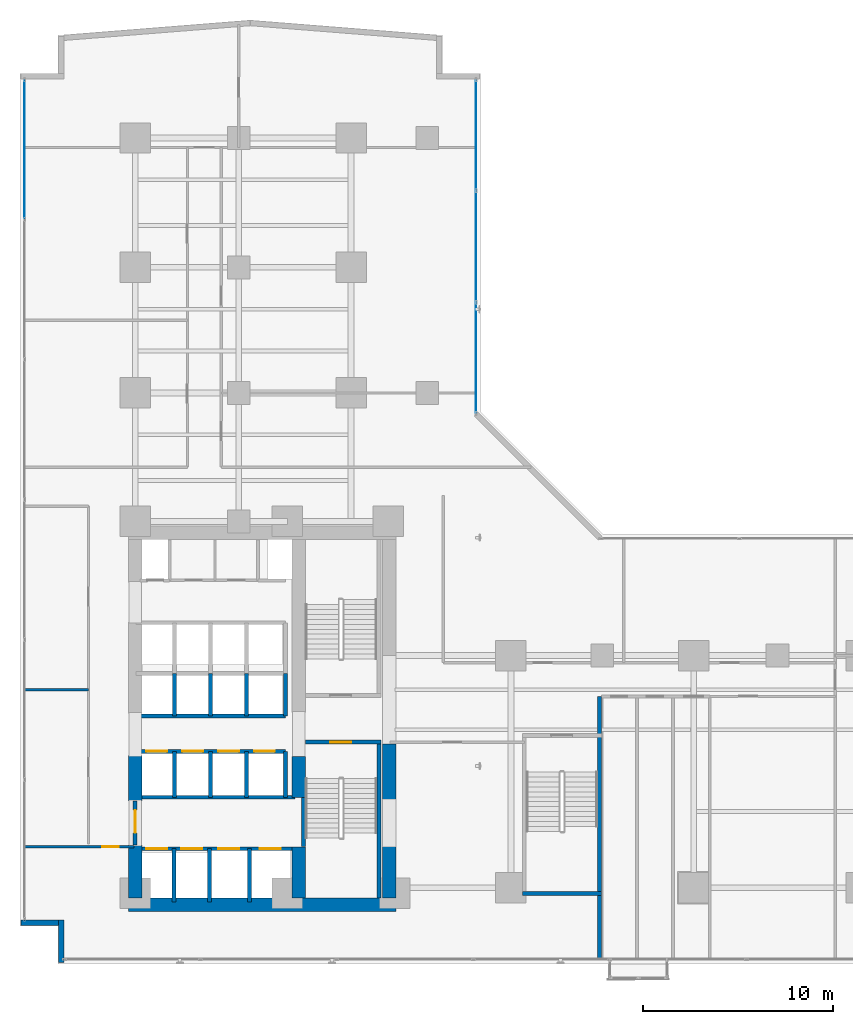
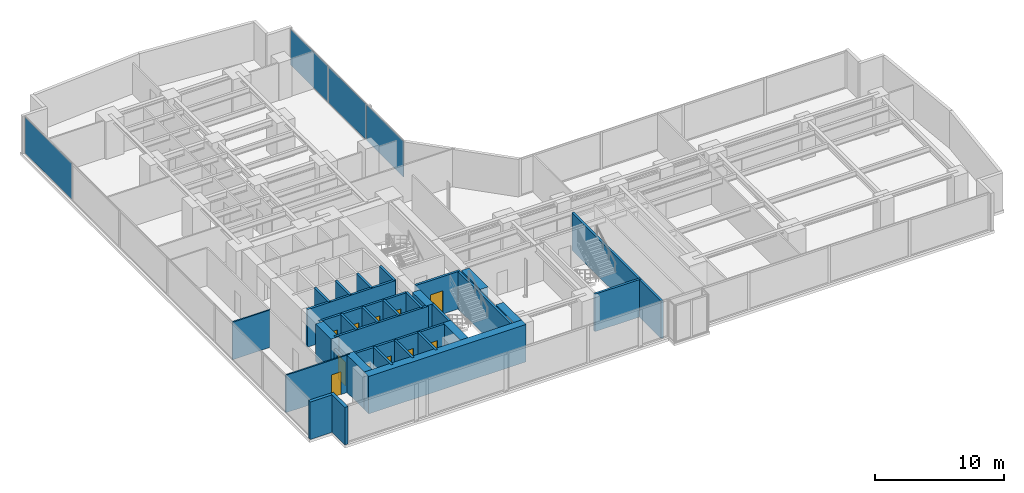
# One storey, part 23 of 29: 32 walls, 11 doors, 4 plates, 11 openings, 2 elements without a shape of their own.
"""IFC4 building model written with IfcOpenShell, lengths in metres."""

from ifc_helpers import new_model, si_unit, direction, frame, frame_2d, origin, origin_with_axes, origin_2d, place, context, subcontext, project, spatial, rectangle, extrude, source, transform, mapped, material, layer, layer_set, type_object, element, fill, aggregate, save


model = new_model("IFC4")

# Units and contexts
model_context = context("Model", 3, precision=1e-05, world=origin(), true_north=direction((0.0, 1.0)))
body_context = subcontext(model_context, "Body", "Model", "MODEL_VIEW")
ifc_project = project(units=[si_unit("LENGTHUNIT", "METRE"), si_unit("AREAUNIT", "SQUARE_METRE"), si_unit("VOLUMEUNIT", "CUBIC_METRE"), si_unit("PLANEANGLEUNIT", "RADIAN"), si_unit("MASSUNIT", "GRAM", prefix="KILO")], contexts=[model_context])

# Site, building, storey
site_placement = place(None, origin())
site = spatial("IfcSite", under=ifc_project, at=site_placement, CompositionType="ELEMENT")
building_placement = place(site_placement, origin())
building = spatial("IfcBuilding", under=site, at=building_placement, Name="Kolvaren Waterfront Exchange", CompositionType="ELEMENT")
storey_placement = place(building_placement, frame((0.0, 0.0, 37.199951171875)))
storey = spatial("IfcBuildingStorey", under=building, at=storey_placement, Name="L09", CompositionType="ELEMENT", Elevation=37.199951171875)

# Curtain wall, plate
ifc_material_1 = material(Name="Anodised aluminium 6063-T6", Category="aluminium")
ifc_layer_1 = layer(ifc_material_1, 0.219970703125, Name="Anodised aluminium 6063-T6")
ifc_layer_set_1 = layer_set([ifc_layer_1], Name="Anodised aluminium 6063-T6")
curtain_wall_type_1 = type_object("IfcCurtainWallType", Name="ARC-CW-SYS2", PredefinedType="USERDEFINED", material=ifc_layer_set_1)
curtain_wall_1_placement = place(storey_placement, origin())
curtain_wall_1 = element("IfcCurtainWall", 1, at=curtain_wall_1_placement, inside=storey, type_object=curtain_wall_type_1, Name="L09 stick curtain wall CW2 (CW-L09-W)", ObjectType="STICK CURTAIN WALL", PredefinedType="USERDEFINED")
ifc_material_2 = material(Name="Acoustic laminated vision glass", Category="glass")
ifc_layer_2 = layer(ifc_material_2, 0.031982421875, Name="Acoustic laminated vision glass")
ifc_layer_set_2 = layer_set([ifc_layer_2], Name="Acoustic laminated vision glass")
plate_type_1 = type_object("IfcPlateType", Name="ARC-CWP-32", PredefinedType="CURTAIN_PANEL", material=ifc_layer_set_2)
shared_shape_1 = source(origin_with_axes(), body_context, "Body", "SweptSolid", [
    extrude(rectangle(XDim=7.24658203125, YDim=0.031982421875, at=origin_2d()), origin(), (0.0, 0.0, 1.0), 3.389892578125),
])
plate_1_placement = place(storey_placement, frame((1.639892578125, 43.99658203125, 0.0751953125), z_axis=(0.0, 0.0, 1.0), x_axis=(0.0, 1.0, 0.0)))
plate_1 = element("IfcPlate", 2, at=plate_1_placement, type_object=plate_type_1, Name="CW2 panel 6.1", PredefinedType="CURTAIN_PANEL", context=body_context, shape_type="MappedRepresentation", body=[
    mapped(shared_shape_1, transform((0.0, 0.0, 0.0), x_axis=(1.0, 0.0, 0.0), y_axis=(0.0, 1.0, 0.0), z_axis=(0.0, 0.0, 1.0), scale=1.0)),
])
aggregate(curtain_wall_1, [plate_1])

# Curtain wall, plates
ifc_material_3 = material(Name="Anodised bronze aluminium 6063-T6", Category="aluminium")
ifc_layer_3 = layer(ifc_material_3, 0.219970703125, Name="Anodised bronze aluminium 6063-T6")
ifc_layer_set_3 = layer_set([ifc_layer_3], Name="Anodised bronze aluminium 6063-T6")
curtain_wall_type_2 = type_object("IfcCurtainWallType", Name="ARC-CW-SYS1", PredefinedType="USERDEFINED", material=ifc_layer_set_3)
curtain_wall_2_placement = place(storey_placement, origin())
curtain_wall_2 = element("IfcCurtainWall", 3, at=curtain_wall_2_placement, inside=storey, type_object=curtain_wall_type_2, Name="L09 stick curtain wall CW1 (CW-L09-NE)", ObjectType="STICK CURTAIN WALL", PredefinedType="USERDEFINED")
ifc_material_4 = material(Name="Bronze solar control vision glass", Category="aluminium")
ifc_layer_4 = layer(ifc_material_4, 0.028076171875, Name="Bronze solar control vision glass")
ifc_layer_set_4 = layer_set([ifc_layer_4], Name="Bronze solar control vision glass")
plate_type_2 = type_object("IfcPlateType", Name="ARC-CWP-28", PredefinedType="CURTAIN_PANEL", material=ifc_layer_set_4)
shared_shape_2 = source(origin_with_axes(), body_context, "Body", "SweptSolid", [
    extrude(rectangle(XDim=5.75, YDim=0.028076171875, at=origin_2d()), origin(), (0.0, 0.0, 1.0), 3.389892578125),
])
plate_2_placement = place(storey_placement, frame((25.360107421875, 33.044921875, 0.0751953125), z_axis=(0.0, 0.0, 1.0), x_axis=(0.0, 1.0, 0.0)))
plate_2 = element("IfcPlate", 4, at=plate_2_placement, type_object=plate_type_2, Name="CW1 panel 1.1", PredefinedType="CURTAIN_PANEL", context=body_context, shape_type="MappedRepresentation", body=[
    mapped(shared_shape_2, transform((0.0, 0.0, 0.0), x_axis=(1.0, 0.0, 0.0), y_axis=(0.0, 1.0, 0.0), z_axis=(0.0, 0.0, 1.0), scale=1.0)),
])
plate_3_placement = place(storey_placement, frame((25.360107421875, 44.7451171875, 0.0751953125), z_axis=(0.0, 0.0, 1.0), x_axis=(0.0, 1.0, 0.0)))
plate_3 = element("IfcPlate", 5, at=plate_3_placement, type_object=plate_type_2, Name="CW1 panel 3.1", PredefinedType="CURTAIN_PANEL", context=body_context, shape_type="MappedRepresentation", body=[
    mapped(shared_shape_2, transform((0.0, 0.0, 0.0), x_axis=(1.0, 0.0, 0.0), y_axis=(0.0, 1.0, 0.0), z_axis=(0.0, 0.0, 1.0), scale=1.0)),
])
shared_shape_3 = source(origin_with_axes(), body_context, "Body", "SweptSolid", [
    extrude(rectangle(XDim=5.7900390625, YDim=0.028076171875, at=origin_2d()), origin(), (0.0, 0.0, 1.0), 3.389892578125),
])
plate_4_placement = place(storey_placement, frame((25.360107421875, 38.89501953125, 0.0751953125), z_axis=(0.0, 0.0, 1.0), x_axis=(0.0, 1.0, 0.0)))
plate_4 = element("IfcPlate", 6, at=plate_4_placement, type_object=plate_type_2, Name="CW1 panel 2.1", PredefinedType="CURTAIN_PANEL", context=body_context, shape_type="MappedRepresentation", body=[
    mapped(shared_shape_3, transform((0.0, 0.0, 0.0), x_axis=(1.0, 0.0, 0.0), y_axis=(0.0, 1.0, 0.0), z_axis=(0.0, 0.0, 1.0), scale=1.0)),
])
aggregate(curtain_wall_2, [plate_2, plate_4, plate_3])

# Walls
ifc_material_5 = material(Name="Precast concrete C40/50", Category="concrete")
ifc_layer_5 = layer(ifc_material_5, 0.280029296875, Name="Precast concrete C40/50")
ifc_layer_set_5 = layer_set([ifc_layer_5], Name="Precast concrete C40/50")
wall_type_1 = type_object("IfcWallType", Name="ARC-EXT-TERR-280", PredefinedType="SOLIDWALL", material=ifc_layer_set_5)
wall_1_placement = place(storey_placement, frame((3.56005859375, 1.260009765625, 0.0), z_axis=(0.0, 0.0, 1.0), x_axis=(0.0, 1.0, 0.0)))
element("IfcWall", 7, at=wall_1_placement, inside=storey, type_object=wall_type_1, Name="L09 notched corner spandrel pier SW-A", PredefinedType="SOLIDWALL", context=body_context, shape_type="SweptSolid", body=[
    extrude(rectangle(XDim=2.239990234375, YDim=0.280029296875, at=frame_2d((1.1201171875, 0.0))), origin(), (0.0, 0.0, 1.0), 3.5400390625),
])
wall_2_placement = place(storey_placement, frame((1.4599609375, 3.360107421875, 0.0), z_axis=(0.0, 0.0, 1.0), x_axis=(1.0, 0.0, 0.0)))
element("IfcWall", 8, at=wall_2_placement, inside=storey, type_object=wall_type_1, Name="L09 notched corner spandrel pier SW-B", PredefinedType="SOLIDWALL", context=body_context, shape_type="SweptSolid", body=[
    extrude(rectangle(XDim=1.9599609375, YDim=0.280029296875, at=frame_2d((0.97998046875, 0.0))), origin(), (0.0, 0.0, 1.0), 3.5400390625),
])

# Wall, opening, door
ifc_layer_6 = layer(ifc_material_5, 0.199951171875, Name="Precast concrete C40/50")
ifc_layer_set_6 = layer_set([ifc_layer_6], Name="Precast concrete C40/50")
wall_type_2 = type_object("IfcWallType", Name="ARC-FIRE-200", PredefinedType="PARTITIONING", material=ifc_layer_set_6)
wall_3_placement = place(storey_placement, frame((16.39990234375, 12.85009765625, 0.0), z_axis=(0.0, 0.0, 1.0), x_axis=(1.0, 0.0, 0.0)))
wall_3 = element("IfcWall", 9, at=wall_3_placement, inside=storey, type_object=wall_type_2, Name="L09 interior wall PW-L09-ST1-THROAT-S", PredefinedType="PARTITIONING", context=body_context, shape_type="SweptSolid", body=[
    extrude(rectangle(XDim=3.960205078125, YDim=0.199951171875, at=frame_2d((1.97998046875, 0.0))), origin(), (0.0, 0.0, 1.0), 3.5400390625),
])
opening_1_placement = place(wall_3_placement, frame((1.3037109375, 0.0, 0.0)))
opening_1 = element("IfcOpeningElement", 10, at=opening_1_placement, cuts=wall_3, Name="Opening FD2", PredefinedType="OPENING", context=body_context, shape_type="SweptSolid", body=[
    extrude(rectangle(XDim=1.10009765625, YDim=2.199951171875, at=frame_2d((0.550048828125, 1.10009765625))), frame((0.0, 0.10986328125, 0.0), z_axis=(0.0, -1.0, 0.0), x_axis=(1.0, 0.0, 0.0)), (0.0, 0.0, 1.0), 0.219970703125),
])
ifc_material_6 = material(Name="Pressed steel smoke-seal fire door", Category="steel")
door_type_1 = type_object("IfcDoorType", Name="ARC-FD-1100", OperationType="NOTDEFINED", PredefinedType="DOOR", material=ifc_material_6)
door_1_placement = place(opening_1_placement, frame((1.10009765625, 0.0, 0.0), z_axis=(0.0, 0.0, 1.0), x_axis=(-1.0, 0.0, 0.0)))
door_1 = element("IfcDoor", 11, at=door_1_placement, inside=storey, type_object=door_type_1, Name="L09 door DR-L09-ST1-IN (FD2)", OperationType="SINGLE_SWING_RIGHT", OverallHeight=2.199951171875, OverallWidth=1.10009765625, PredefinedType="DOOR", context=body_context, shape_type="SweptSolid", body=[
    extrude(rectangle(XDim=1.10009765625, YDim=2.199951171875, at=frame_2d((0.550048828125, 1.10009765625))), frame((0.0, 0.02490234375, 0.0), z_axis=(0.0, -1.0, 0.0), x_axis=(1.0, 0.0, 0.0)), (0.0, 0.0, 1.0), 0.050048828125),
])
fill(opening_1, door_1)

# Wall
wall_4_placement = place(storey_placement, frame((7.5, 9.949951171875, 0.0), z_axis=(0.0, 0.0, 1.0), x_axis=(1.0, 0.0, 0.0)))
element("IfcWall", 12, at=wall_4_placement, inside=storey, type_object=wall_type_2, Name="L09 interior wall PW-L09-FF-N", PredefinedType="PARTITIONING", context=body_context, shape_type="SweptSolid", body=[
    extrude(rectangle(XDim=8.35009765625, YDim=0.199951171875, at=frame_2d((4.175048828125, 0.0))), origin(), (0.0, 0.0, 1.0), 3.5400390625),
])

# Wall, opening, door
wall_5_placement = place(storey_placement, frame((7.449951171875, 7.449951171875, 0.0), z_axis=(0.0, 0.0, 1.0), x_axis=(0.0, 1.0, 0.0)))
wall_5 = element("IfcWall", 13, at=wall_5_placement, inside=storey, type_object=wall_type_2, Name="L09 interior wall PW-L09-FF-W-DOOR", PredefinedType="PARTITIONING", context=body_context, shape_type="SweptSolid", body=[
    extrude(rectangle(XDim=2.300048828125, YDim=0.199951171875, at=frame_2d((1.14990234375, 0.0))), origin(), (0.0, 0.0, 1.0), 2.52001953125),
])
opening_2_placement = place(wall_5_placement, frame((0.63330078125, 0.0, 0.0)))
opening_2 = element("IfcOpeningElement", 14, at=opening_2_placement, cuts=wall_5, Name="Opening FD3", PredefinedType="OPENING", context=body_context, shape_type="SweptSolid", body=[
    extrude(rectangle(XDim=1.199951171875, YDim=2.25, at=frame_2d((0.60009765625, 1.125))), frame((0.0, 0.10986328125, 0.0), z_axis=(0.0, -1.0, 0.0), x_axis=(1.0, 0.0, 0.0)), (0.0, 0.0, 1.0), 0.219970703125),
])
ifc_material_7 = material(Name="Pressed steel fire door", Category="steel")
door_type_2 = type_object("IfcDoorType", Name="ARC-FD-1200", OperationType="NOTDEFINED", PredefinedType="DOOR", material=ifc_material_7)
door_2_placement = place(opening_2_placement, frame((1.199951171875, 0.0, 0.0), z_axis=(0.0, 0.0, 1.0), x_axis=(-1.0, 0.0, 0.0)))
door_2 = element("IfcDoor", 15, at=door_2_placement, inside=storey, type_object=door_type_2, Name="L09 door DR-L09-FF-OUT (FD3)", OperationType="SINGLE_SWING_LEFT", OverallHeight=2.25, OverallWidth=1.199951171875, PredefinedType="DOOR", context=body_context, shape_type="SweptSolid", body=[
    extrude(rectangle(XDim=1.199951171875, YDim=2.25, at=frame_2d((0.60009765625, 1.125))), frame((0.0, 0.02490234375, 0.0), z_axis=(0.0, -1.0, 0.0), x_axis=(1.0, 0.0, 0.0)), (0.0, 0.0, 1.0), 0.050048828125),
])
fill(opening_2, door_2)

ifc_material_8 = material(Name="Acoustic gypsum steel stud", Category="steel")
ifc_layer_7 = layer(ifc_material_8, 0.125, Name="Acoustic gypsum steel stud")
ifc_layer_set_7 = layer_set([ifc_layer_7], Name="Acoustic gypsum steel stud")
wall_type_3 = type_object("IfcWallType", Name="ARC-PART-125", PredefinedType="PARTITIONING", material=ifc_layer_set_7)
wall_6_placement = place(storey_placement, frame((1.639892578125, 7.35009765625, 0.0), z_axis=(0.0, 0.0, 1.0), x_axis=(1.0, 0.0, 0.0)))
wall_6 = element("IfcWall", 16, at=wall_6_placement, inside=storey, type_object=wall_type_3, Name="L09 interior wall PW-L09-SWC-N", PredefinedType="PARTITIONING", context=body_context, shape_type="SweptSolid", body=[
    extrude(rectangle(XDim=5.760009765625, YDim=0.125, at=frame_2d((2.8798828125, 0.0))), origin(), (0.0, 0.0, 1.0), 3.5400390625),
])
opening_3_placement = place(wall_6_placement, frame((4.086669921875, 0.0, 0.0)))
opening_3 = element("IfcOpeningElement", 17, at=opening_3_placement, cuts=wall_6, Name="Opening D01", PredefinedType="OPENING", context=body_context, shape_type="SweptSolid", body=[
    extrude(rectangle(XDim=0.85009765625, YDim=2.14990234375, at=frame_2d((0.425048828125, 1.074951171875))), frame((0.0, 0.072509765625, 0.0), z_axis=(0.0, -1.0, 0.0), x_axis=(1.0, 0.0, 0.0)), (0.0, 0.0, 1.0), 0.14501953125),
])
ifc_material_9 = material(Name="Oak veneer timber leaf", Category="wood")
door_type_3 = type_object("IfcDoorType", Name="ARC-DR-900", OperationType="NOTDEFINED", PredefinedType="DOOR", material=ifc_material_9)
door_3_placement = place(opening_3_placement, origin())
door_3 = element("IfcDoor", 18, at=door_3_placement, inside=storey, type_object=door_type_3, Name="L09 door DR-L09-SWC-D (D01)", OperationType="SINGLE_SWING_RIGHT", OverallHeight=2.14990234375, OverallWidth=0.85009765625, PredefinedType="DOOR", context=body_context, shape_type="SweptSolid", body=[
    extrude(rectangle(XDim=0.85009765625, YDim=2.14990234375, at=frame_2d((0.425048828125, 1.074951171875))), frame((0.0, 0.02490234375, 0.0), z_axis=(0.0, -1.0, 0.0), x_axis=(1.0, 0.0, 0.0)), (0.0, 0.0, 1.0), 0.050048828125),
])
fill(opening_3, door_3)

# Walls
wall_7_placement = place(storey_placement, frame((1.639892578125, 15.60009765625, 0.0), z_axis=(0.0, 0.0, 1.0), x_axis=(1.0, 0.0, 0.0)))
element("IfcWall", 19, at=wall_7_placement, inside=storey, type_object=wall_type_3, Name="L09 interior wall PW-L09-WFLANK-MID", PredefinedType="PARTITIONING", context=body_context, shape_type="SweptSolid", body=[
    extrude(rectangle(XDim=3.360107421875, YDim=0.125, at=frame_2d((1.68017578125, 0.0))), origin(), (0.0, 0.0, 1.0), 3.5400390625),
])
ifc_material_10 = material(Name="Concrete C40/50", Category="concrete")
ifc_layer_8 = layer(ifc_material_10, 0.199951171875, Name="Concrete C40/50")
ifc_layer_set_8 = layer_set([ifc_layer_8], Name="Concrete C40/50")
wall_type_4 = type_object("IfcWallType", Name="ARC-SHAFT-200", PredefinedType="PARTITIONING", material=ifc_layer_set_8)
wall_8_placement = place(storey_placement, frame((16.300048828125, 7.360107421875, 0.0), z_axis=(0.0, 0.0, 1.0), x_axis=(0.0, 1.0, 0.0)))
element("IfcWall", 20, at=wall_8_placement, inside=storey, type_object=wall_type_4, Name="L09 structural stairwell wall PW-L09-ST1-W", PredefinedType="SHEAR", context=body_context, shape_type="SweptSolid", body=[
    extrude(rectangle(XDim=2.579833984375, YDim=0.199951171875, at=frame_2d((1.2900390625, 0.0))), origin(), (0.0, 0.0, 1.0), 3.5400390625),
])
wall_9_placement = place(storey_placement, frame((20.260009765625, 4.659912109375, 0.0), z_axis=(0.0, 0.0, 1.0), x_axis=(0.0, 1.0, 0.0)))
element("IfcWall", 21, at=wall_9_placement, inside=storey, type_object=wall_type_4, Name="L09 structural stairwell wall PW-L09-ST1-E", PredefinedType="SHEAR", context=body_context, shape_type="SweptSolid", body=[
    extrude(rectangle(XDim=8.090087890625, YDim=0.199951171875, at=frame_2d((4.044921875, 0.0))), origin(), (0.0, 0.0, 1.0), 3.5400390625),
])
wall_10_placement = place(storey_placement, frame((31.860107421875, 1.43994140625, 0.0), z_axis=(0.0, 0.0, 1.0), x_axis=(0.0, 1.0, 0.0)))
element("IfcWall", 22, at=wall_10_placement, inside=storey, type_object=wall_type_4, Name="L09 structural stairwell wall PW-L09-ST3-E", PredefinedType="SHEAR", context=body_context, shape_type="SweptSolid", body=[
    extrude(rectangle(XDim=13.81005859375, YDim=0.199951171875, at=frame_2d((6.905029296875, 0.0))), origin(), (0.0, 0.0, 1.0), 3.5400390625),
])
wall_11_placement = place(storey_placement, frame((27.800048828125, 4.89990234375, 0.0), z_axis=(0.0, 0.0, 1.0), x_axis=(1.0, 0.0, 0.0)))
element("IfcWall", 23, at=wall_11_placement, inside=storey, type_object=wall_type_4, Name="L09 structural stairwell wall PW-L09-ST3-S", PredefinedType="SHEAR", context=body_context, shape_type="SweptSolid", body=[
    extrude(rectangle(XDim=4.159912109375, YDim=0.199951171875, at=frame_2d((2.080078125, 0.0))), origin(), (0.0, 0.0, 1.0), 3.5400390625),
])

# Wall, openings, doors
wall_12_placement = place(storey_placement, frame((7.5, 7.25, 0.0), z_axis=(0.0, 0.0, 1.0), x_axis=(1.0, 0.0, 0.0)))
wall_12 = element("IfcWall", 24, at=wall_12_placement, inside=storey, type_object=wall_type_4, Name="L09 interior wall PW-L09-FF-S", PredefinedType="PARTITIONING", context=body_context, shape_type="SweptSolid", body=[
    extrude(rectangle(XDim=8.35009765625, YDim=0.199951171875, at=frame_2d((4.175048828125, 0.0))), origin(), (0.0, 0.0, 1.0), 3.5400390625),
])
opening_4_placement = place(wall_12_placement, frame((0.530029296875, 0.0, 0.0)))
opening_4 = element("IfcOpeningElement", 25, at=opening_4_placement, cuts=wall_12, Name="Opening LD1", PredefinedType="OPENING", context=body_context, shape_type="SweptSolid", body=[
    extrude(rectangle(XDim=1.10009765625, YDim=2.199951171875, at=frame_2d((0.550048828125, 1.10009765625))), frame((0.0, 0.10986328125, 0.0), z_axis=(0.0, -1.0, 0.0), x_axis=(1.0, 0.0, 0.0)), (0.0, 0.0, 1.0), 0.219970703125),
])
opening_5_placement = place(wall_12_placement, frame((2.3701171875, 0.0, 0.0)))
opening_5 = element("IfcOpeningElement", 26, at=opening_5_placement, cuts=wall_12, Name="Opening LD1", PredefinedType="OPENING", context=body_context, shape_type="SweptSolid", body=[
    extrude(rectangle(XDim=1.10009765625, YDim=2.199951171875, at=frame_2d((0.550048828125, 1.10009765625))), frame((0.0, 0.10986328125, 0.0), z_axis=(0.0, -1.0, 0.0), x_axis=(1.0, 0.0, 0.0)), (0.0, 0.0, 1.0), 0.219970703125),
])
opening_6_placement = place(wall_12_placement, frame((4.330078125, 0.0, 0.0)))
opening_6 = element("IfcOpeningElement", 27, at=opening_6_placement, cuts=wall_12, Name="Opening LD1", PredefinedType="OPENING", context=body_context, shape_type="SweptSolid", body=[
    extrude(rectangle(XDim=1.10009765625, YDim=2.199951171875, at=frame_2d((0.550048828125, 1.10009765625))), frame((0.0, 0.10986328125, 0.0), z_axis=(0.0, -1.0, 0.0), x_axis=(1.0, 0.0, 0.0)), (0.0, 0.0, 1.0), 0.219970703125),
])
opening_7_placement = place(wall_12_placement, frame((6.5, 0.0, 0.0)))
opening_7 = element("IfcOpeningElement", 28, at=opening_7_placement, cuts=wall_12, Name="Opening LD1", PredefinedType="OPENING", context=body_context, shape_type="SweptSolid", body=[
    extrude(rectangle(XDim=1.10009765625, YDim=2.199951171875, at=frame_2d((0.550048828125, 1.10009765625))), frame((0.0, 0.10986328125, 0.0), z_axis=(0.0, -1.0, 0.0), x_axis=(1.0, 0.0, 0.0)), (0.0, 0.0, 1.0), 0.219970703125),
])
ifc_material_11 = material(Name="Stainless steel sliding landing door", Category="steel")
door_type_4 = type_object("IfcDoorType", Name="ARC-LD-FF", OperationType="SLIDING_TO_LEFT", PredefinedType="DOOR", material=ifc_material_11)
door_4_placement = place(opening_4_placement, origin())
door_4 = element("IfcDoor", 29, at=door_4_placement, inside=storey, type_object=door_type_4, Name="L09 door LD-L09-FFL1 (LD1)", OperationType="SLIDING_TO_LEFT", OverallHeight=2.199951171875, OverallWidth=1.10009765625, PredefinedType="DOOR", context=body_context, shape_type="SweptSolid", body=[
    extrude(rectangle(XDim=1.10009765625, YDim=2.199951171875, at=frame_2d((0.550048828125, 1.10009765625))), frame((0.0, 0.02490234375, 0.0), z_axis=(0.0, -1.0, 0.0), x_axis=(1.0, 0.0, 0.0)), (0.0, 0.0, 1.0), 0.050048828125),
])
fill(opening_4, door_4)
door_5_placement = place(opening_5_placement, origin())
door_5 = element("IfcDoor", 30, at=door_5_placement, inside=storey, type_object=door_type_4, Name="L09 door LD-L09-FFL2 (LD1)", OperationType="SLIDING_TO_LEFT", OverallHeight=2.199951171875, OverallWidth=1.10009765625, PredefinedType="DOOR", context=body_context, shape_type="SweptSolid", body=[
    extrude(rectangle(XDim=1.10009765625, YDim=2.199951171875, at=frame_2d((0.550048828125, 1.10009765625))), frame((0.0, 0.02490234375, 0.0), z_axis=(0.0, -1.0, 0.0), x_axis=(1.0, 0.0, 0.0)), (0.0, 0.0, 1.0), 0.050048828125),
])
fill(opening_5, door_5)
door_6_placement = place(opening_6_placement, origin())
door_6 = element("IfcDoor", 31, at=door_6_placement, inside=storey, type_object=door_type_4, Name="L09 door LD-L09-GL1 (LD1)", OperationType="SLIDING_TO_LEFT", OverallHeight=2.199951171875, OverallWidth=1.10009765625, PredefinedType="DOOR", context=body_context, shape_type="SweptSolid", body=[
    extrude(rectangle(XDim=1.10009765625, YDim=2.199951171875, at=frame_2d((0.550048828125, 1.10009765625))), frame((0.0, 0.02490234375, 0.0), z_axis=(0.0, -1.0, 0.0), x_axis=(1.0, 0.0, 0.0)), (0.0, 0.0, 1.0), 0.050048828125),
])
fill(opening_6, door_6)
door_7_placement = place(opening_7_placement, origin())
door_7 = element("IfcDoor", 32, at=door_7_placement, inside=storey, type_object=door_type_4, Name="L09 door LD-L09-GL2 (LD1)", OperationType="SLIDING_TO_LEFT", OverallHeight=2.199951171875, OverallWidth=1.10009765625, PredefinedType="DOOR", context=body_context, shape_type="SweptSolid", body=[
    extrude(rectangle(XDim=1.10009765625, YDim=2.199951171875, at=frame_2d((0.550048828125, 1.10009765625))), frame((0.0, 0.02490234375, 0.0), z_axis=(0.0, -1.0, 0.0), x_axis=(1.0, 0.0, 0.0)), (0.0, 0.0, 1.0), 0.050048828125),
])
fill(opening_7, door_7)

# Walls
for number, where, z_axis, x_axis, name in (
    (33, (9.5, 4.449951171875, 0.0), (0.0, 0.0, 1.0), (0.0, 1.0, 0.0), "L09 interior wall PW-L09-SH1-DIV-95"),
    (34, (11.360107421875, 4.449951171875, 0.0), (0.0, 0.0, 1.0), (0.0, 1.0, 0.0), "L09 interior wall PW-L09-SH1-DIV-113"),
    (35, (13.4599609375, 4.449951171875, 0.0), (0.0, 0.0, 1.0), (0.0, 1.0, 0.0), "L09 interior wall PW-L09-SH1-DIV-134"),
):
    element("IfcWall", number, at=place(storey_placement, frame(where, z_axis=z_axis, x_axis=x_axis)), inside=storey, type_object=wall_type_4, Name=name, PredefinedType="PARTITIONING", context=body_context, shape_type="SweptSolid", body=[
        extrude(rectangle(XDim=2.800048828125, YDim=0.199951171875, at=frame_2d((1.39990234375, 0.0))), origin(), (0.0, 0.0, 1.0), 3.5400390625),
    ])

# Wall, openings, doors
wall_13_placement = place(storey_placement, frame((7.5, 12.360107421875, 0.0), z_axis=(0.0, 0.0, 1.0), x_axis=(1.0, 0.0, 0.0)))
wall_13 = element("IfcWall", 36, at=wall_13_placement, inside=storey, type_object=wall_type_4, Name="L09 interior wall PW-L09-PL-N", PredefinedType="PARTITIONING", context=body_context, shape_type="SweptSolid", body=[
    extrude(rectangle(XDim=7.85009765625, YDim=0.199951171875, at=frame_2d((3.925048828125, 0.0))), origin(), (0.0, 0.0, 1.0), 3.5400390625),
])
opening_8_placement = place(wall_13_placement, frame((0.530029296875, 0.0, 0.0)))
opening_8 = element("IfcOpeningElement", 37, at=opening_8_placement, cuts=wall_13, Name="Opening LD2", PredefinedType="OPENING", context=body_context, shape_type="SweptSolid", body=[
    extrude(rectangle(XDim=1.10009765625, YDim=2.199951171875, at=frame_2d((0.550048828125, 1.10009765625))), frame((0.0, 0.10986328125, 0.0), z_axis=(0.0, -1.0, 0.0), x_axis=(1.0, 0.0, 0.0)), (0.0, 0.0, 1.0), 0.219970703125),
])
opening_9_placement = place(wall_13_placement, frame((2.419921875, 0.0, 0.0)))
opening_9 = element("IfcOpeningElement", 38, at=opening_9_placement, cuts=wall_13, Name="Opening LD2", PredefinedType="OPENING", context=body_context, shape_type="SweptSolid", body=[
    extrude(rectangle(XDim=1.10009765625, YDim=2.199951171875, at=frame_2d((0.550048828125, 1.10009765625))), frame((0.0, 0.10986328125, 0.0), z_axis=(0.0, -1.0, 0.0), x_axis=(1.0, 0.0, 0.0)), (0.0, 0.0, 1.0), 0.219970703125),
])
opening_10_placement = place(wall_13_placement, frame((4.31005859375, 0.0, 0.0)))
opening_10 = element("IfcOpeningElement", 39, at=opening_10_placement, cuts=wall_13, Name="Opening LD2", PredefinedType="OPENING", context=body_context, shape_type="SweptSolid", body=[
    extrude(rectangle(XDim=1.10009765625, YDim=2.199951171875, at=frame_2d((0.550048828125, 1.10009765625))), frame((0.0, 0.10986328125, 0.0), z_axis=(0.0, -1.0, 0.0), x_axis=(1.0, 0.0, 0.0)), (0.0, 0.0, 1.0), 0.219970703125),
])
opening_11_placement = place(wall_13_placement, frame((6.199951171875, 0.0, 0.0)))
opening_11 = element("IfcOpeningElement", 40, at=opening_11_placement, cuts=wall_13, Name="Opening LD2", PredefinedType="OPENING", context=body_context, shape_type="SweptSolid", body=[
    extrude(rectangle(XDim=1.10009765625, YDim=2.199951171875, at=frame_2d((0.550048828125, 1.10009765625))), frame((0.0, 0.10986328125, 0.0), z_axis=(0.0, -1.0, 0.0), x_axis=(1.0, 0.0, 0.0)), (0.0, 0.0, 1.0), 0.219970703125),
])
ifc_material_12 = material(Name="Brushed bronze sliding landing door", Category="aluminium")
door_type_5 = type_object("IfcDoorType", Name="ARC-LD-PAX", OperationType="SLIDING_TO_LEFT", PredefinedType="DOOR", material=ifc_material_12)
door_8_placement = place(opening_8_placement, origin())
door_8 = element("IfcDoor", 41, at=door_8_placement, inside=storey, type_object=door_type_5, Name="L09 door LD-L09-PL1 (LD2)", OperationType="SLIDING_TO_LEFT", OverallHeight=2.199951171875, OverallWidth=1.10009765625, PredefinedType="DOOR", context=body_context, shape_type="SweptSolid", body=[
    extrude(rectangle(XDim=1.10009765625, YDim=2.199951171875, at=frame_2d((0.550048828125, 1.10009765625))), frame((0.0, 0.02490234375, 0.0), z_axis=(0.0, -1.0, 0.0), x_axis=(1.0, 0.0, 0.0)), (0.0, 0.0, 1.0), 0.050048828125),
])
fill(opening_8, door_8)
door_9_placement = place(opening_9_placement, origin())
door_9 = element("IfcDoor", 42, at=door_9_placement, inside=storey, type_object=door_type_5, Name="L09 door LD-L09-PL2 (LD2)", OperationType="SLIDING_TO_LEFT", OverallHeight=2.199951171875, OverallWidth=1.10009765625, PredefinedType="DOOR", context=body_context, shape_type="SweptSolid", body=[
    extrude(rectangle(XDim=1.10009765625, YDim=2.199951171875, at=frame_2d((0.550048828125, 1.10009765625))), frame((0.0, 0.02490234375, 0.0), z_axis=(0.0, -1.0, 0.0), x_axis=(1.0, 0.0, 0.0)), (0.0, 0.0, 1.0), 0.050048828125),
])
fill(opening_9, door_9)
door_10_placement = place(opening_10_placement, origin())
door_10 = element("IfcDoor", 43, at=door_10_placement, inside=storey, type_object=door_type_5, Name="L09 door LD-L09-PL3 (LD2)", OperationType="SLIDING_TO_LEFT", OverallHeight=2.199951171875, OverallWidth=1.10009765625, PredefinedType="DOOR", context=body_context, shape_type="SweptSolid", body=[
    extrude(rectangle(XDim=1.10009765625, YDim=2.199951171875, at=frame_2d((0.550048828125, 1.10009765625))), frame((0.0, 0.02490234375, 0.0), z_axis=(0.0, -1.0, 0.0), x_axis=(1.0, 0.0, 0.0)), (0.0, 0.0, 1.0), 0.050048828125),
])
fill(opening_10, door_10)
door_11_placement = place(opening_11_placement, origin())
door_11 = element("IfcDoor", 44, at=door_11_placement, inside=storey, type_object=door_type_5, Name="L09 door LD-L09-PL4 (LD2)", OperationType="SLIDING_TO_LEFT", OverallHeight=2.199951171875, OverallWidth=1.10009765625, PredefinedType="DOOR", context=body_context, shape_type="SweptSolid", body=[
    extrude(rectangle(XDim=1.10009765625, YDim=2.199951171875, at=frame_2d((0.550048828125, 1.10009765625))), frame((0.0, 0.02490234375, 0.0), z_axis=(0.0, -1.0, 0.0), x_axis=(1.0, 0.0, 0.0)), (0.0, 0.0, 1.0), 0.050048828125),
])
fill(opening_11, door_11)

# Walls
for number, where, z_axis, x_axis, name in (
    (45, (15.35009765625, 9.949951171875, 0.0), (0.0, 0.0, 1.0), (0.0, 1.0, 0.0), "L09 interior wall PW-L09-PL-E"),
    (46, (9.52001953125, 9.949951171875, 0.0), (0.0, 0.0, 1.0), (0.0, 1.0, 0.0), "L09 interior wall PW-L09-SH2-DIV-95"),
    (47, (11.409912109375, 9.949951171875, 0.0), (0.0, 0.0, 1.0), (0.0, 1.0, 0.0), "L09 interior wall PW-L09-SH2-DIV-114"),
    (48, (13.300048828125, 9.949951171875, 0.0), (0.0, 0.0, 1.0), (0.0, 1.0, 0.0), "L09 interior wall PW-L09-SH2-DIV-133"),
):
    element("IfcWall", number, at=place(storey_placement, frame(where, z_axis=z_axis, x_axis=x_axis)), inside=storey, type_object=wall_type_4, Name=name, PredefinedType="PARTITIONING", context=body_context, shape_type="SweptSolid", body=[
        extrude(rectangle(XDim=2.41015625, YDim=0.199951171875, at=frame_2d((1.205078125, 0.0))), origin(), (0.0, 0.0, 1.0), 3.5400390625),
    ])
wall_14_placement = place(storey_placement, frame((7.5, 14.219970703125, 0.0), z_axis=(0.0, 0.0, 1.0), x_axis=(1.0, 0.0, 0.0)))
element("IfcWall", 49, at=wall_14_placement, inside=storey, type_object=wall_type_4, Name="L09 interior wall PW-L09-PM-S", PredefinedType="PARTITIONING", context=body_context, shape_type="SweptSolid", body=[
    extrude(rectangle(XDim=7.85009765625, YDim=0.199951171875, at=frame_2d((3.925048828125, 0.0))), origin(), (0.0, 0.0, 1.0), 3.5400390625),
])
for number, where, z_axis, x_axis, name in (
    (50, (15.35009765625, 14.219970703125, 0.0), (0.0, 0.0, 1.0), (0.0, 1.0, 0.0), "L09 interior wall PW-L09-PM-E"),
    (51, (9.52001953125, 14.219970703125, 0.0), (0.0, 0.0, 1.0), (0.0, 1.0, 0.0), "L09 interior wall PW-L09-SH3-DIV-95"),
    (52, (11.409912109375, 14.219970703125, 0.0), (0.0, 0.0, 1.0), (0.0, 1.0, 0.0), "L09 interior wall PW-L09-SH3-DIV-114"),
    (53, (13.300048828125, 14.219970703125, 0.0), (0.0, 0.0, 1.0), (0.0, 1.0, 0.0), "L09 interior wall PW-L09-SH3-DIV-133"),
):
    element("IfcWall", number, at=place(storey_placement, frame(where, z_axis=z_axis, x_axis=x_axis)), inside=storey, type_object=wall_type_4, Name=name, PredefinedType="PARTITIONING", context=body_context, shape_type="SweptSolid", body=[
        extrude(rectangle(XDim=2.22998046875, YDim=0.199951171875, at=frame_2d((1.114990234375, 0.0))), origin(), (0.0, 0.0, 1.0), 3.5400390625),
    ])
ifc_material_13 = material(Name="Concrete C70/85", Category="concrete")
ifc_layer_9 = layer(ifc_material_13, 0.699951171875, Name="Concrete C70/85")
ifc_layer_set_9 = layer_set([ifc_layer_9], Name="Concrete C70/85")
wall_type_5 = type_object("IfcWallType", Name="STR-CWALL-700", PredefinedType="SHEAR", material=ifc_layer_set_9)
wall_15_placement = place(storey_placement, frame((7.10009765625, 4.300048828125, 0.0), z_axis=(0.0, 0.0, 1.0), x_axis=(1.0, 0.0, 0.0)))
element("IfcWall", 54, at=wall_15_placement, inside=storey, type_object=wall_type_5, Name="L09 rear-core shear wall S", PredefinedType="SHEAR", context=body_context, shape_type="SweptSolid", body=[
    extrude(rectangle(XDim=14.0498046875, YDim=0.699951171875, at=frame_2d((7.02490234375, 0.0))), origin(), (0.0, 0.0, 1.0), 3.5400390625),
])
wall_16_placement = place(storey_placement, frame((7.449951171875, 4.64990234375, 0.0), z_axis=(0.0, 0.0, 1.0), x_axis=(0.0, 1.0, 0.0)))
element("IfcWall", 55, at=wall_16_placement, inside=storey, type_object=wall_type_5, Name="L09 rear-core shear wall W1", PredefinedType="SHEAR", context=body_context, shape_type="SweptSolid", body=[
    extrude(rectangle(XDim=2.800048828125, YDim=0.699951171875, at=frame_2d((1.39990234375, 0.0))), origin(), (0.0, 0.0, 1.0), 3.5400390625),
])
wall_17_placement = place(storey_placement, frame((7.449951171875, 9.75, 0.0), z_axis=(0.0, 0.0, 1.0), x_axis=(0.0, 1.0, 0.0)))
element("IfcWall", 56, at=wall_17_placement, inside=storey, type_object=wall_type_5, Name="L09 rear-core shear wall W2A", PredefinedType="SHEAR", context=body_context, shape_type="SweptSolid", body=[
    extrude(rectangle(XDim=2.39990234375, YDim=0.699951171875, at=frame_2d((1.199951171875, 0.0))), origin(), (0.0, 0.0, 1.0), 3.5400390625),
])
wall_18_placement = place(storey_placement, frame((20.800048828125, 4.64990234375, 0.0), z_axis=(0.0, 0.0, 1.0), x_axis=(0.0, 1.0, 0.0)))
element("IfcWall", 57, at=wall_18_placement, inside=storey, type_object=wall_type_5, Name="L09 rear-core shear wall E1", PredefinedType="SHEAR", context=body_context, shape_type="SweptSolid", body=[
    extrude(rectangle(XDim=2.75, YDim=0.699951171875, at=frame_2d((1.375, 0.0))), origin(), (0.0, 0.0, 1.0), 3.5400390625),
])
wall_19_placement = place(storey_placement, frame((20.800048828125, 9.800048828125, 0.0), z_axis=(0.0, 0.0, 1.0), x_axis=(0.0, 1.0, 0.0)))
element("IfcWall", 58, at=wall_19_placement, inside=storey, type_object=wall_type_5, Name="L09 rear-core shear wall E2", PredefinedType="SHEAR", context=body_context, shape_type="SweptSolid", body=[
    extrude(rectangle(XDim=2.949951171875, YDim=0.699951171875, at=frame_2d((1.47509765625, 0.0))), origin(), (0.0, 0.0, 1.0), 3.5400390625),
])
wall_20_placement = place(storey_placement, frame((16.050048828125, 4.64990234375, 0.0), z_axis=(0.0, 0.0, 1.0), x_axis=(0.0, 1.0, 0.0)))
element("IfcWall", 59, at=wall_20_placement, inside=storey, type_object=wall_type_5, Name="L09 rear-core shear wall M1", PredefinedType="SHEAR", context=body_context, shape_type="SweptSolid", body=[
    extrude(rectangle(XDim=2.7001953125, YDim=0.699951171875, at=frame_2d((1.35009765625, 0.0))), origin(), (0.0, 0.0, 1.0), 3.5400390625),
])
wall_21_placement = place(storey_placement, frame((16.050048828125, 9.949951171875, 0.0), z_axis=(0.0, 0.0, 1.0), x_axis=(0.0, 1.0, 0.0)))
element("IfcWall", 60, at=wall_21_placement, inside=storey, type_object=wall_type_5, Name="L09 rear-core shear wall M2", PredefinedType="SHEAR", context=body_context, shape_type="SweptSolid", body=[
    extrude(rectangle(XDim=2.150146484375, YDim=0.699951171875, at=frame_2d((1.0751953125, 0.0))), origin(), (0.0, 0.0, 1.0), 3.5400390625),
])

save(model, "model.ifc")
